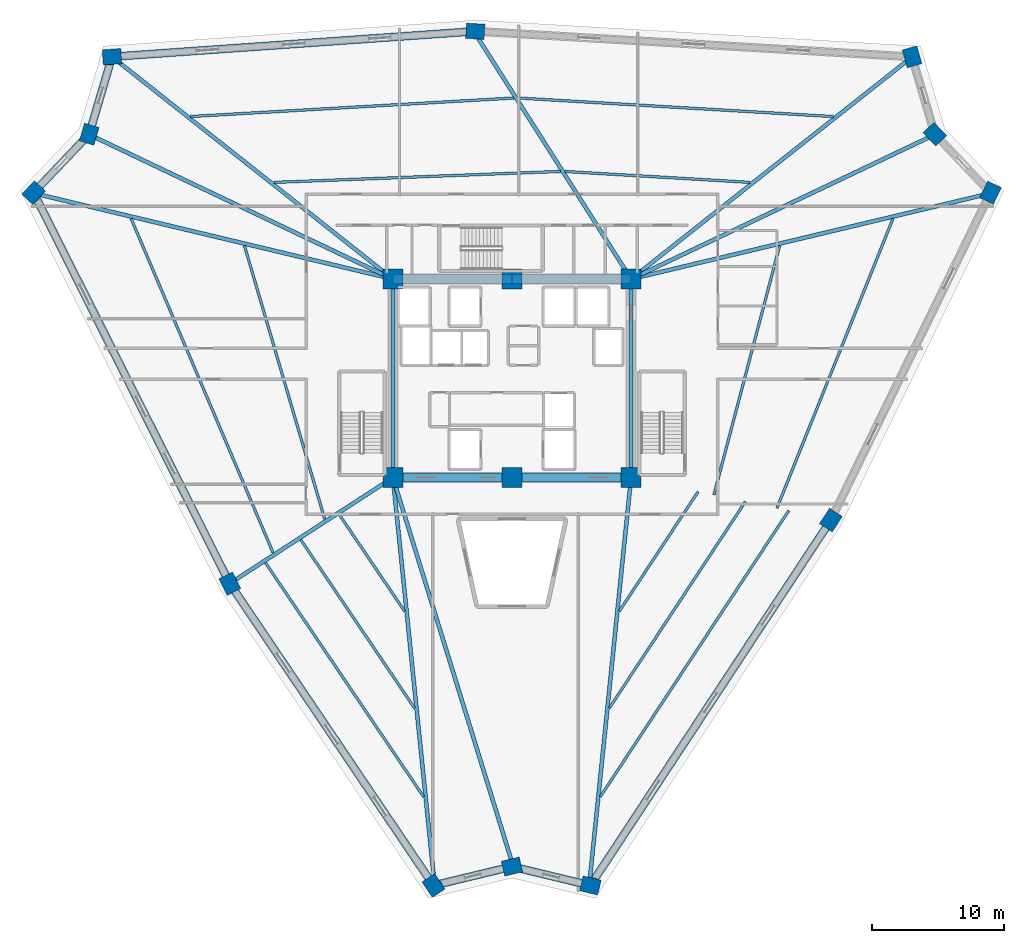
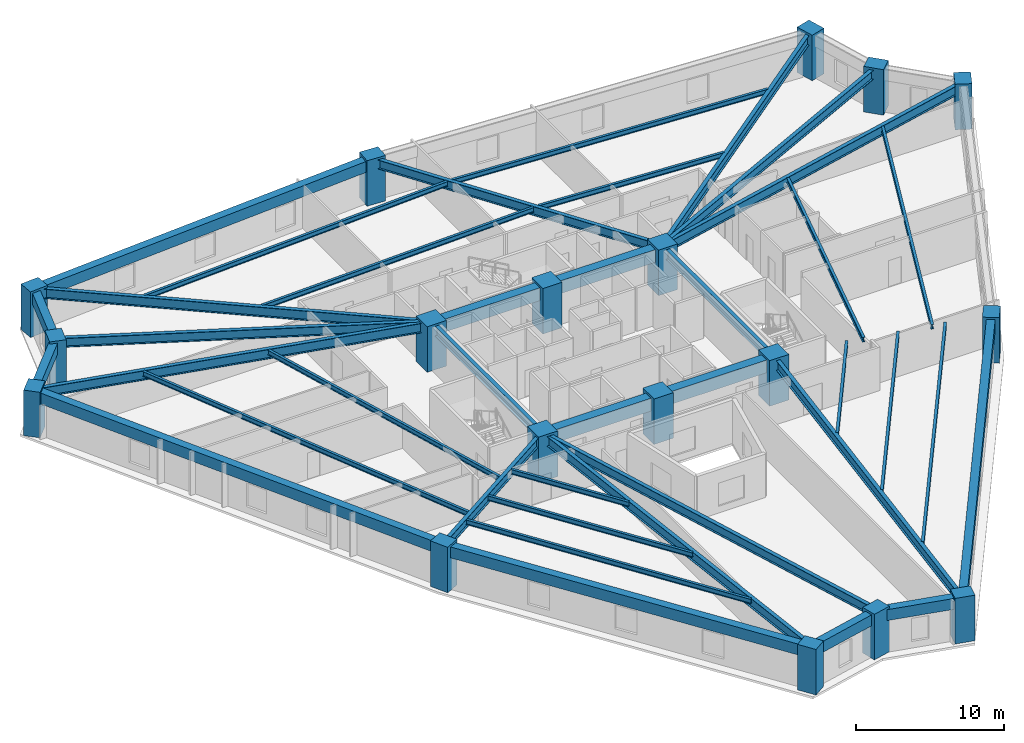
# One storey, part 1 of 9: 39 beams, 18 columns.
"""IFC4 building model written with IfcOpenShell, lengths in metres."""

import ifcopenshell
import ifcopenshell.guid

model = None  # the IFC model being written
_history = None  # IfcOwnerHistory: only IFC2X3 demands one
_inside = {}  # id of a spatial element -> (the spatial element, [elements in it])
_under = {}  # id of a project, library or spatial element -> (it, [spatial elements below it])
_declared = {}  # id of a project -> (the project, [libraries it declares])
_typed = {}  # id of a type object -> (the type object, [elements of that type])
_made_of = {}  # id of a material, layer set ... -> (it, [elements and type objects made of it])


def new_model(schema):
    """Start an empty IFC model of exactly this schema.

    Asked for "IFC4X3", IfcOpenShell would pick the latest addendum, in which some entities
    have other attributes; the version numbers below select the first issue.
    IFC2X3 requires an IfcOwnerHistory on every rooted entity: one is made here for all.
    """
    global model, _history
    if schema == "IFC4X3":
        model = ifcopenshell.file(schema_version=(4, 3, 0, 0))
    else:
        model = ifcopenshell.file(schema=schema)
    _inside.clear()
    _under.clear()
    _declared.clear()
    _typed.clear()
    _made_of.clear()
    _history = None
    if model.schema == "IFC2X3":
        org = make("IfcOrganization", Name="unknown")
        user = make(
            "IfcPersonAndOrganization",
            ThePerson=make("IfcPerson", FamilyName="unknown"),
            TheOrganization=org,
        )
        app = make(
            "IfcApplication",
            ApplicationDeveloper=org,
            Version="unknown",
            ApplicationFullName="unknown",
            ApplicationIdentifier="unknown",
        )
        _history = make(
            "IfcOwnerHistory",
            OwningUser=user,
            OwningApplication=app,
            ChangeAction="ADDED",
            CreationDate=0,
        )
    return model


def make(cls, **values):
    """One entity of the class cls with the attributes given. An attribute that is None is left unset."""
    return model.create_entity(
        cls, **{name: value for name, value in values.items() if value is not None}
    )


def rooted(cls, **values):
    """An entity with a GlobalId (a new one), such as an element, a storey or a relation."""
    return make(cls, GlobalId=ifcopenshell.guid.new(), OwnerHistory=_history, **values)


def si_unit(unit_type, name, prefix=None):
    """IfcSIUnit, for example si_unit("LENGTHUNIT", "METRE", prefix="MILLI")."""
    return make("IfcSIUnit", UnitType=unit_type, Prefix=prefix, Name=name)


def assignment(units):
    """IfcUnitAssignment: the units of a project."""
    return None if units is None else make("IfcUnitAssignment", Units=units)


def point(xyz):
    """IfcCartesianPoint."""
    return None if xyz is None else make("IfcCartesianPoint", Coordinates=xyz)


def direction(xyz):
    """IfcDirection."""
    return None if xyz is None else make("IfcDirection", DirectionRatios=xyz)


def frame(location, z_axis=None, x_axis=None):
    """IfcAxis2Placement3D, a coordinate frame: its origin and axes. An axis left out is left unset."""
    return make(
        "IfcAxis2Placement3D",
        Location=point(location),
        Axis=direction(z_axis),
        RefDirection=direction(x_axis),
    )


def frame_2d(location, x_axis=None):
    """IfcAxis2Placement2D, a coordinate frame in the plane: its origin and x axis."""
    return make(
        "IfcAxis2Placement2D", Location=point(location), RefDirection=direction(x_axis)
    )


def origin():
    """The frame at (0, 0, 0) with its axes left unset."""
    return frame((0.0, 0.0, 0.0))


def origin_2d():
    """The frame at (0, 0) in the plane with its x axis left unset."""
    return frame_2d((0.0, 0.0))


def place(relative_to, where):
    """IfcLocalPlacement: puts the frame where relative to a parent placement (None: the world)."""
    return make(
        "IfcLocalPlacement", PlacementRelTo=relative_to, RelativePlacement=where
    )


def context(
    kind, dimensions, precision=None, world=None, true_north=None, identifier=None
):
    """IfcGeometricRepresentationContext, for example the 3D "Model" context."""
    return make(
        "IfcGeometricRepresentationContext",
        ContextIdentifier=identifier,
        ContextType=kind,
        CoordinateSpaceDimension=dimensions,
        Precision=precision,
        WorldCoordinateSystem=world,
        TrueNorth=true_north,
    )


def subcontext(parent, identifier, kind, view, scale=None):
    """IfcGeometricRepresentationSubContext, for example "Body" below "Model"."""
    return make(
        "IfcGeometricRepresentationSubContext",
        ContextIdentifier=identifier,
        ContextType=kind,
        ParentContext=parent,
        TargetScale=scale,
        TargetView=view,
    )


def project(units=None, contexts=None):
    """IfcProject with its units and contexts."""
    return rooted(
        "IfcProject",
        Name="project",
        RepresentationContexts=contexts,
        UnitsInContext=assignment(units),
    )


def spatial(cls, under=None, at=None, **own):
    """A site, building, storey or space (cls), placed at a placement, below another one or the project."""
    s = rooted(cls, ObjectPlacement=at, **own)
    if under is not None:
        _under.setdefault(under.id(), (under, []))[1].append(s)
    return s


def profile(cls, at=None, kind="AREA", **sizes):
    """A parametric profile (cls). Its sizes go by their IFC names, for example OverallWidth=200.0."""
    return make(cls, ProfileType=kind, Position=at, **sizes)


def rectangle(**sizes):
    """IfcRectangleProfileDef."""
    return profile("IfcRectangleProfileDef", **sizes)


def i_section(**sizes):
    """IfcIShapeProfileDef."""
    return profile("IfcIShapeProfileDef", **sizes)


def extrude(swept, where, along, depth):
    """IfcExtrudedAreaSolid: the profile swept, set in the frame where, extruded along a direction by depth."""
    return make(
        "IfcExtrudedAreaSolid",
        SweptArea=swept,
        Position=where,
        ExtrudedDirection=direction(along),
        Depth=depth,
    )


def shape(context_of_items, identifier, shape_type, items):
    """IfcShapeRepresentation: the items that make up one representation, for example the "Body"."""
    return make(
        "IfcShapeRepresentation",
        ContextOfItems=context_of_items,
        RepresentationIdentifier=identifier,
        RepresentationType=shape_type,
        Items=items,
    )


def source(mapping_origin, context_of_items, identifier, shape_type, items):
    """IfcRepresentationMap: a shape defined once, which mapped items show again and again."""
    return make(
        "IfcRepresentationMap",
        MappingOrigin=mapping_origin,
        MappedRepresentation=shape(context_of_items, identifier, shape_type, items),
    )


def transform(
    local_origin,
    x_axis=None,
    y_axis=None,
    z_axis=None,
    scale=None,
    scale2=None,
    scale3=None,
    uniform=True,
):
    """IfcCartesianTransformationOperator3D, or its non-uniform kind. x_axis, y_axis, z_axis: its Axis1, 2, 3."""
    if uniform:
        return make(
            "IfcCartesianTransformationOperator3D",
            Axis1=direction(x_axis),
            Axis2=direction(y_axis),
            LocalOrigin=point(local_origin),
            Scale=scale,
            Axis3=direction(z_axis),
        )
    return make(
        "IfcCartesianTransformationOperator3DnonUniform",
        Axis1=direction(x_axis),
        Axis2=direction(y_axis),
        LocalOrigin=point(local_origin),
        Scale=scale,
        Axis3=direction(z_axis),
        Scale2=scale2,
        Scale3=scale3,
    )


def mapped(mapping_source, mapping_target):
    """IfcMappedItem: shows the shape of a source again, moved by a transform."""
    return make(
        "IfcMappedItem", MappingSource=mapping_source, MappingTarget=mapping_target
    )


def material(Name=None, Category=None):
    """IfcMaterial."""
    return make("IfcMaterial", Name=Name, Category=Category)


def material_profile(
    of_material, cross_section, Name=None, Category=None, Priority=None
):
    """IfcMaterialProfile: a cross section and its material."""
    return make(
        "IfcMaterialProfile",
        Name=Name,
        Material=of_material,
        Profile=cross_section,
        Priority=Priority,
        Category=Category,
    )


def profile_set(profiles, Name=None, composite=None):
    """IfcMaterialProfileSet."""
    return make(
        "IfcMaterialProfileSet",
        Name=Name,
        MaterialProfiles=profiles,
        CompositeProfile=composite,
    )


def made_of(thing, what):
    """Note that an element or type object is made of a material, layer set ...; save() writes the relation."""
    if what is not None:
        _made_of.setdefault(what.id(), (what, []))[1].append(thing)
    return thing


def type_object(cls, material=None, **own):
    """A type object (cls), such as IfcWallType, which elements share."""
    return made_of(rooted(cls, **own), material)


def element(
    cls,
    number,
    at=None,
    inside=None,
    cuts=None,
    type_object=None,
    material=None,
    context=None,
    identifier="Body",
    shape_type=None,
    held_by="IfcProductDefinitionShape",
    body=None,
    shapes=None,
    **own,
):
    """One element of the class cls, such as IfcWall. Its Tag is "e" and its number.

    at: its placement. inside: the storey or other place that contains it. cuts: it is an
    opening in that element (IfcRelVoidsElement). A single representation is given by context,
    identifier, shape_type and body (its items); several are given by shapes. held_by: the class
    of the entity that holds the representations. save() writes the other relations.
    """
    e = rooted(cls, Tag="e%d" % number, ObjectPlacement=at, **own)
    if body is not None:
        shapes = [shape(context, identifier, shape_type, body)]
    if shapes is not None:
        e.Representation = make(held_by, Representations=shapes)
    if inside is not None:
        _inside.setdefault(inside.id(), (inside, []))[1].append(e)
    if cuts is not None:
        rooted(
            "IfcRelVoidsElement", RelatingBuildingElement=cuts, RelatedOpeningElement=e
        )
    if type_object is not None:
        _typed.setdefault(type_object.id(), (type_object, []))[1].append(e)
    return made_of(e, material)


def aggregate(whole, parts):
    """IfcRelAggregates: a whole, such as a stair, and the parts it consists of."""
    return rooted("IfcRelAggregates", RelatingObject=whole, RelatedObjects=parts)


def save(model, path):
    """Write the relations noted so far, then the file.

    IfcRelAggregates (storeys below a building ...), IfcRelContainedInSpatialStructure (elements
    in a storey), IfcRelDefinesByType, IfcRelAssociatesMaterial and IfcRelDeclares: one each for
    every whole, place, type object, material and project.
    """
    for whole, parts in _under.values():
        aggregate(whole, parts)
    for where, things in _inside.values():
        rooted(
            "IfcRelContainedInSpatialStructure",
            RelatedElements=things,
            RelatingStructure=where,
        )
    for kind, things in _typed.values():
        rooted("IfcRelDefinesByType", RelatedObjects=things, RelatingType=kind)
    for what, things in _made_of.values():
        rooted("IfcRelAssociatesMaterial", RelatedObjects=things, RelatingMaterial=what)
    for by, libraries in _declared.values():
        rooted("IfcRelDeclares", RelatingContext=by, RelatedDefinitions=libraries)
    model.write(path)


model = new_model("IFC4")

# Units and contexts
model_context = context("Model", 3, precision=1e-05, world=origin(), true_north=direction((0.0, 1.0)))
body_context = subcontext(model_context, "Body", "Model", "MODEL_VIEW")
ifc_project = project(units=[si_unit("LENGTHUNIT", "METRE"), si_unit("AREAUNIT", "SQUARE_METRE"), si_unit("VOLUMEUNIT", "CUBIC_METRE"), si_unit("PLANEANGLEUNIT", "RADIAN"), si_unit("MASSUNIT", "GRAM", prefix="KILO")], contexts=[model_context])

# Site, building, storey
site_placement = place(None, origin())
site = spatial("IfcSite", under=ifc_project, at=site_placement, CompositionType="ELEMENT")
building_placement = place(site_placement, origin())
building = spatial("IfcBuilding", under=site, at=building_placement, Name="Liaohun Quay Tower", CompositionType="ELEMENT")
storey_placement = place(building_placement, frame((0.0, 0.0, 132.0)))
storey = spatial("IfcBuildingStorey", under=building, at=storey_placement, Name="L34", CompositionType="ELEMENT", Elevation=132.0)

# Columns
ifc_material_1 = material(Name="Concrete C60", Category="concrete")
ifc_material_profile_1 = material_profile(ifc_material_1, rectangle(XDim=1.5, YDim=1.5, at=origin_2d()), Name="RC1500x1500")
ifc_profile_set_1 = profile_set([ifc_material_profile_1], Name="Concrete C60")
column_type_1 = type_object("IfcColumnType", Name="COL-CC-Z2", PredefinedType="COLUMN", material=ifc_profile_set_1)
shared_shape_1 = source(origin(), body_context, "Body", "SweptSolid", [
    extrude(rectangle(XDim=1.5, YDim=1.5, at=origin_2d()), origin(), (0.0, 0.0, 1.0), 3.75),
])
for number, where, z_axis, x_axis, name in (
    (1, (51.0, 46.5, 0.0), (0.0, 0.0, 1.0), (1.0, 0.0, 0.0), "L34 Core Column CC1"),
    (2, (60.0, 46.5, 0.0), (0.0, 0.0, 1.0), (1.0, 0.0, 0.0), "L34 Core Column CC2"),
    (3, (69.0, 46.5, 0.0), (0.0, 0.0, 1.0), (1.0, 0.0, 0.0), "L34 Core Column CC3"),
    (4, (69.0, 61.5, 0.0), (0.0, 0.0, 1.0), (1.0, 0.0, 0.0), "L34 Core Column CC4"),
    (5, (60.0, 61.5, 0.0), (0.0, 0.0, 1.0), (1.0, 0.0, 0.0), "L34 Core Column CC5"),
    (6, (51.0, 61.5, 0.0), (0.0, 0.0, 1.0), (1.0, 0.0, 0.0), "L34 Core Column CC6"),
):
    element("IfcColumn", number, at=place(storey_placement, frame(where, z_axis=z_axis, x_axis=x_axis)), inside=storey, type_object=column_type_1, Name=name, PredefinedType="COLUMN", context=body_context, shape_type="MappedRepresentation", body=[
        mapped(shared_shape_1, transform((0.0, 0.0, 0.0), x_axis=(1.0, 0.0, 0.0), y_axis=(0.0, 1.0, 0.0), z_axis=(0.0, 0.0, 1.0), scale=1.0)),
    ])
ifc_material_profile_2 = material_profile(ifc_material_1, rectangle(XDim=1.39990234375, YDim=1.14990234375, at=origin_2d()), Name="RC1400x1150")
ifc_profile_set_2 = profile_set([ifc_material_profile_2], Name="Concrete C60")
column_type_2 = type_object("IfcColumnType", Name="COL-PIER-Z2", PredefinedType="COLUMN", material=ifc_profile_set_2)
shared_shape_2 = source(origin(), body_context, "Body", "SweptSolid", [
    extrude(rectangle(XDim=1.39990234375, YDim=1.14990234375, at=origin_2d()), origin(), (0.0, 0.0, 1.0), 3.75),
])
for number, where, z_axis, x_axis, name in (
    (7, (54.069091796875, 15.675048828125, 0.0), (0.0, 0.0, 1.0), (-0.559482258102, 0.828842326905, 0.0), "L34 Perimeter Pier PC01"),
    (8, (38.674072265625, 38.485107421875, 0.0), (0.0, 0.0, 1.0), (-0.448539214018, 0.893763152903, 0.0), "L34 Perimeter Pier PC02"),
    (9, (23.84912109375, 68.031982421875, 0.0), (0.0, 0.0, 1.0), (0.68936671806, 0.724412539946, 0.0), "L34 Perimeter Pier PC03"),
    (10, (28.050048828125, 72.447021484375, 0.0), (0.0, 0.0, 1.0), (0.282508884416, 0.959264682049, 0.0), "L34 Perimeter Pier PC04"),
    (11, (29.77490234375, 78.299072265625, 0.0), (0.0, 0.0, 1.0), (0.997539639882, 0.070104685031, 0.0), "L34 Perimeter Pier PC05"),
    (12, (57.22607421875, 80.22607421875, 0.0), (0.0, 0.0, 1.0), (-0.99829120239, 0.058435222518, 0.0), "L34 Perimeter Pier PC06"),
    (13, (90.22802734375, 78.2919921875, 0.0), (0.0, 0.0, 1.0), (-0.282508884416, 0.959264682049, 0.0), "L34 Perimeter Pier PC07"),
    (14, (91.949951171875, 72.447021484375, 0.0), (0.0, 0.0, 1.0), (-0.68936671806, 0.724412539946, 0.0), "L34 Perimeter Pier PC08"),
    (15, (96.156005859375, 68.027099609375, 0.0), (0.0, 0.0, 1.0), (0.438214270959, 0.898870542808, 0.0), "L34 Perimeter Pier PC09"),
    (16, (84.09912109375, 43.2900390625, 0.0), (0.0, 0.0, 1.0), (0.549751988372, 0.835327930385, 0.0), "L34 Perimeter Pier PC10"),
    (17, (65.924072265625, 15.677001953125, 0.0), (0.0, 0.0, 1.0), (-0.972043021443, 0.234802820391, 0.0), "L34 Perimeter Pier PC11"),
    (18, (60.0, 17.10693359375, 0.0), (0.0, 0.0, 1.0), (0.972043021443, 0.234802820391, 0.0), "L34 Perimeter Pier PC12"),
):
    element("IfcColumn", number, at=place(storey_placement, frame(where, z_axis=z_axis, x_axis=x_axis)), inside=storey, type_object=column_type_2, Name=name, PredefinedType="COLUMN", context=body_context, shape_type="MappedRepresentation", body=[
        mapped(shared_shape_2, transform((0.0, 0.0, 0.0), x_axis=(1.0, 0.0, 0.0), y_axis=(0.0, 1.0, 0.0), z_axis=(0.0, 0.0, 1.0), scale=1.0)),
    ])

# Beams
ifc_material_profile_3 = material_profile(ifc_material_1, rectangle(XDim=0.699951171875, YDim=1.050048828125, at=origin_2d()), Name="RC700x1050")
ifc_profile_set_3 = profile_set([ifc_material_profile_3], Name="Concrete C60")
beam_type_1 = type_object("IfcBeamType", Name="BM-CPL-1", PredefinedType="LINTEL", material=ifc_profile_set_3)
shared_shape_3 = source(origin(), body_context, "Body", "SweptSolid", [
    extrude(rectangle(XDim=0.699951171875, YDim=1.050048828125, at=origin_2d()), origin(), (0.0, 0.0, 1.0), 9.0),
])
for number, where, z_axis, x_axis, name in (
    (19, (51.0, 46.5, 3.044921875), (1.0, 0.0, 0.0), (0.0, 1.0, 0.0), "L34 Core Coupling/Ring Beam CC1-CC2"),
    (20, (60.0, 46.5, 3.044921875), (1.0, 0.0, 0.0), (0.0, 1.0, 0.0), "L34 Core Coupling/Ring Beam CC2-CC3"),
    (21, (69.0, 61.5, 3.044921875), (-1.0, 0.0, 0.0), (0.0, -1.0, 0.0), "L34 Core Coupling/Ring Beam CC4-CC5"),
    (22, (60.0, 61.5, 3.044921875), (-1.0, 0.0, 0.0), (0.0, -1.0, 0.0), "L34 Core Coupling/Ring Beam CC5-CC6"),
):
    element("IfcBeam", number, at=place(storey_placement, frame(where, z_axis=z_axis, x_axis=x_axis)), inside=storey, type_object=beam_type_1, Name=name, PredefinedType="LINTEL", context=body_context, shape_type="MappedRepresentation", body=[
        mapped(shared_shape_3, transform((0.0, 0.0, 0.0), x_axis=(1.0, 0.0, 0.0), y_axis=(0.0, 1.0, 0.0), z_axis=(0.0, 0.0, 1.0), scale=1.0)),
    ])
ifc_material_2 = material(Name="Steel Q355D", Category="steel")
ifc_material_profile_4 = material_profile(ifc_material_2, i_section(OverallWidth=0.300048828125, OverallDepth=0.800048828125, WebThickness=0.013916015625, FlangeThickness=0.02587890625, at=origin_2d()), Name="HN800x300x14x26")
ifc_profile_set_4 = profile_set([ifc_material_profile_4], Name="Steel Q355D")
beam_type_2 = type_object("IfcBeamType", Name="BM-RAD-M1", PredefinedType="BEAM", material=ifc_profile_set_4)
shared_shape_4 = source(origin(), body_context, "Body", "SweptSolid", [
    extrude(i_section(OverallWidth=0.300048828125, OverallDepth=0.800048828125, WebThickness=0.013916015625, FlangeThickness=0.02587890625, at=origin_2d()), origin(), (0.0, 0.0, 1.0), 15.0),
])
for number, where, z_axis, x_axis, name in (
    (23, (69.0, 46.5, 3.169921875), (0.0, 1.0, 0.0), (-1.0, 0.0, 0.0), "L34 Core Coupling/Ring Beam CC3-CC4"),
    (24, (51.0, 61.5, 3.169921875), (0.0, -1.0, 0.0), (1.0, 0.0, 0.0), "L34 Core Coupling/Ring Beam CC6-CC1"),
):
    element("IfcBeam", number, at=place(storey_placement, frame(where, z_axis=z_axis, x_axis=x_axis)), inside=storey, type_object=beam_type_2, Name=name, PredefinedType="BEAM", context=body_context, shape_type="MappedRepresentation", body=[
        mapped(shared_shape_4, transform((0.0, 0.0, 0.0), x_axis=(1.0, 0.0, 0.0), y_axis=(0.0, 1.0, 0.0), z_axis=(0.0, 0.0, 1.0), scale=1.0)),
    ])
ifc_material_3 = material(Name="Precast concrete C55", Category="concrete")
ifc_material_profile_5 = material_profile(ifc_material_3, rectangle(XDim=0.60009765625, YDim=0.89990234375, at=origin_2d()), Name="RC600x900")
ifc_profile_set_5 = profile_set([ifc_material_profile_5], Name="Precast concrete C55")
beam_type_3 = type_object("IfcBeamType", Name="BM-SPD-Z2", PredefinedType="SPANDREL", material=ifc_profile_set_5)
shared_shape_5 = source(origin(), body_context, "Body", "SweptSolid", [
    extrude(rectangle(XDim=0.60009765625, YDim=0.89990234375, at=origin_2d()), origin(), (0.0, 0.0, 1.0), 27.519287109375),
])
beam_1_placement = place(storey_placement, frame((54.069091796875, 15.675048828125, 3.1201171875), z_axis=(-0.559428667358, 0.82887849902, 0.0), x_axis=(-0.82887849902, -0.559428667358, 0.0)))
element("IfcBeam", 25, at=beam_1_placement, inside=storey, type_object=beam_type_3, Name="L34 Precast Spandrel Beam PC01-PC02", PredefinedType="SPANDREL", context=body_context, shape_type="MappedRepresentation", body=[
    mapped(shared_shape_5, transform((0.0, 0.0, 0.0), x_axis=(1.0, 0.0, 0.0), y_axis=(0.0, 1.0, 0.0), z_axis=(0.0, 0.0, 1.0), scale=1.0)),
])
shared_shape_6 = source(origin(), body_context, "Body", "SweptSolid", [
    extrude(rectangle(XDim=0.60009765625, YDim=0.89990234375, at=origin_2d()), origin(), (0.0, 0.0, 1.0), 33.057373046875),
])
beam_2_placement = place(storey_placement, frame((38.674072265625, 38.485107421875, 3.1201171875), z_axis=(-0.448459805959, 0.893802999793, 0.0), x_axis=(-0.893802999793, -0.448459805959, 0.0)))
element("IfcBeam", 26, at=beam_2_placement, inside=storey, type_object=beam_type_3, Name="L34 Precast Spandrel Beam PC02-PC03", PredefinedType="SPANDREL", context=body_context, shape_type="MappedRepresentation", body=[
    mapped(shared_shape_6, transform((0.0, 0.0, 0.0), x_axis=(1.0, 0.0, 0.0), y_axis=(0.0, 1.0, 0.0), z_axis=(0.0, 0.0, 1.0), scale=1.0)),
])
shared_shape_7 = source(origin(), body_context, "Body", "SweptSolid", [
    extrude(rectangle(XDim=0.60009765625, YDim=0.89990234375, at=origin_2d()), origin(), (0.0, 0.0, 1.0), 6.09423828125),
])
for number, where, z_axis, x_axis, name in (
    (27, (23.84912109375, 68.031982421875, 3.1201171875), (0.689321991872, 0.724455099728, 0.0), (-0.724455099728, 0.689321991872, 0.0), "L34 Precast Spandrel Beam PC03-PC04"),
    (28, (65.924072265625, 15.677001953125, 3.1201171875), (-0.972082838745, 0.234637922379, 0.0), (-0.234637922379, -0.972082838745, 0.0), "L34 Precast Spandrel Beam PC11-PC12"),
):
    element("IfcBeam", number, at=place(storey_placement, frame(where, z_axis=z_axis, x_axis=x_axis)), inside=storey, type_object=beam_type_3, Name=name, PredefinedType="SPANDREL", context=body_context, shape_type="MappedRepresentation", body=[
        mapped(shared_shape_7, transform((0.0, 0.0, 0.0), x_axis=(1.0, 0.0, 0.0), y_axis=(0.0, 1.0, 0.0), z_axis=(0.0, 0.0, 1.0), scale=1.0)),
    ])
shared_shape_8 = source(origin(), body_context, "Body", "SweptSolid", [
    extrude(rectangle(XDim=0.60009765625, YDim=0.89990234375, at=origin_2d()), origin(), (0.0, 0.0, 1.0), 6.10107421875),
])
beam_3_placement = place(storey_placement, frame((28.050048828125, 72.447021484375, 3.1201171875), z_axis=(0.282718738533, 0.959202853875, 0.0), x_axis=(-0.959202853875, 0.282718738533, 0.0)))
element("IfcBeam", 29, at=beam_3_placement, inside=storey, type_object=beam_type_3, Name="L34 Precast Spandrel Beam PC04-PC05", PredefinedType="SPANDREL", context=body_context, shape_type="MappedRepresentation", body=[
    mapped(shared_shape_8, transform((0.0, 0.0, 0.0), x_axis=(1.0, 0.0, 0.0), y_axis=(0.0, 1.0, 0.0), z_axis=(0.0, 0.0, 1.0), scale=1.0)),
])
shared_shape_9 = source(origin(), body_context, "Body", "SweptSolid", [
    extrude(rectangle(XDim=0.60009765625, YDim=0.89990234375, at=origin_2d()), origin(), (0.0, 0.0, 1.0), 27.518798828125),
])
beam_4_placement = place(storey_placement, frame((29.77490234375, 78.299072265625, 3.1201171875), z_axis=(0.997545228336, 0.070025119951, 0.0), x_axis=(-0.070025119951, 0.997545228336, 0.0)))
element("IfcBeam", 30, at=beam_4_placement, inside=storey, type_object=beam_type_3, Name="L34 Precast Spandrel Beam PC05-PC06", PredefinedType="SPANDREL", context=body_context, shape_type="MappedRepresentation", body=[
    mapped(shared_shape_9, transform((0.0, 0.0, 0.0), x_axis=(1.0, 0.0, 0.0), y_axis=(0.0, 1.0, 0.0), z_axis=(0.0, 0.0, 1.0), scale=1.0)),
])
shared_shape_10 = source(origin(), body_context, "Body", "SweptSolid", [
    extrude(rectangle(XDim=0.60009765625, YDim=0.89990234375, at=origin_2d()), origin(), (0.0, 0.0, 1.0), 6.101318359375),
])
beam_5_placement = place(storey_placement, frame((60.0, 17.10693359375, 3.1201171875), z_axis=(-0.972071507064, -0.234684863497, 0.0), x_axis=(0.234684863497, -0.972071507064, 0.0)))
element("IfcBeam", 31, at=beam_5_placement, inside=storey, type_object=beam_type_3, Name="L34 Precast Spandrel Beam PC12-PC01", PredefinedType="SPANDREL", context=body_context, shape_type="MappedRepresentation", body=[
    mapped(shared_shape_10, transform((0.0, 0.0, 0.0), x_axis=(1.0, 0.0, 0.0), y_axis=(0.0, 1.0, 0.0), z_axis=(0.0, 0.0, 1.0), scale=1.0)),
])
shared_shape_11 = source(origin(), body_context, "Body", "SweptSolid", [
    extrude(rectangle(XDim=0.60009765625, YDim=0.89990234375, at=origin_2d()), origin(), (0.0, 0.0, 1.0), 33.0576171875),
])
beam_6_placement = place(storey_placement, frame((84.09912109375, 43.2900390625, 3.1201171875), z_axis=(-0.549797569052, -0.83529793072, 0.0), x_axis=(0.83529793072, -0.549797569052, 0.0)))
element("IfcBeam", 32, at=beam_6_placement, inside=storey, type_object=beam_type_3, Name="L34 Precast Spandrel Beam PC10-PC11", PredefinedType="SPANDREL", context=body_context, shape_type="MappedRepresentation", body=[
    mapped(shared_shape_11, transform((0.0, 0.0, 0.0), x_axis=(1.0, 0.0, 0.0), y_axis=(0.0, 1.0, 0.0), z_axis=(0.0, 0.0, 1.0), scale=1.0)),
])
shared_shape_12 = source(origin(), body_context, "Body", "SweptSolid", [
    extrude(i_section(OverallWidth=0.300048828125, OverallDepth=0.800048828125, WebThickness=0.013916015625, FlangeThickness=0.02587890625, at=origin_2d()), origin(), (0.0, 0.0, 1.0), 30.644775390625),
])
beam_7_placement = place(storey_placement, frame((51.0, 46.5, 3.169921875), z_axis=(0.101911617186, -0.994793457097, 0.0), x_axis=(0.994793457097, 0.101911617186, 0.0)))
element("IfcBeam", 33, at=beam_7_placement, inside=storey, type_object=beam_type_2, Name="L34 Radial Primary Girder CC1-PC01", PredefinedType="BEAM", context=body_context, shape_type="MappedRepresentation", body=[
    mapped(shared_shape_12, transform((0.0, 0.0, 0.0), x_axis=(1.0, 0.0, 0.0), y_axis=(0.0, 1.0, 0.0), z_axis=(0.0, 0.0, 1.0), scale=1.0)),
])
ifc_material_profile_6 = material_profile(ifc_material_2, i_section(OverallWidth=0.300048828125, OverallDepth=0.75, WebThickness=0.013916015625, FlangeThickness=0.02587890625, at=origin_2d()), Name="HN750x300x14x26")
ifc_profile_set_6 = profile_set([ifc_material_profile_6], Name="Steel Q355D")
beam_type_4 = type_object("IfcBeamType", Name="BM-RAD-M2", PredefinedType="BEAM", material=ifc_profile_set_6)
shared_shape_13 = source(origin(), body_context, "Body", "SweptSolid", [
    extrude(i_section(OverallWidth=0.300048828125, OverallDepth=0.75, WebThickness=0.013916015625, FlangeThickness=0.02587890625, at=origin_2d()), origin(), (0.0, 0.0, 1.0), 14.47998046875),
])
beam_8_placement = place(storey_placement, frame((51.0, 46.5, 3.195068359375), z_axis=(-0.838817079565, -0.544413360444, 0.0), x_axis=(0.544413360444, -0.838817079565, 0.0)))
element("IfcBeam", 34, at=beam_8_placement, inside=storey, type_object=beam_type_4, Name="L34 Radial Primary Girder CC1-PC02", PredefinedType="BEAM", context=body_context, shape_type="MappedRepresentation", body=[
    mapped(shared_shape_13, transform((0.0, 0.0, 0.0), x_axis=(1.0, 0.0, 0.0), y_axis=(0.0, 1.0, 0.0), z_axis=(0.0, 0.0, 1.0), scale=1.0)),
])
shared_shape_14 = source(origin(), body_context, "Body", "SweptSolid", [
    extrude(i_section(OverallWidth=0.300048828125, OverallDepth=0.800048828125, WebThickness=0.013916015625, FlangeThickness=0.02587890625, at=origin_2d()), origin(), (0.0, 0.0, 1.0), 27.583984375),
])
beam_9_placement = place(storey_placement, frame((51.0, 61.5, 3.169921875), z_axis=(-0.972633963366, 0.232342792672, 0.0), x_axis=(-0.232342792672, -0.972633963366, 0.0)))
element("IfcBeam", 35, at=beam_9_placement, inside=storey, type_object=beam_type_2, Name="L34 Radial Primary Girder CC6-PC03", PredefinedType="BEAM", context=body_context, shape_type="MappedRepresentation", body=[
    mapped(shared_shape_14, transform((0.0, 0.0, 0.0), x_axis=(1.0, 0.0, 0.0), y_axis=(0.0, 1.0, 0.0), z_axis=(0.0, 0.0, 1.0), scale=1.0)),
])
shared_shape_15 = source(origin(), body_context, "Body", "SweptSolid", [
    extrude(i_section(OverallWidth=0.300048828125, OverallDepth=0.75, WebThickness=0.013916015625, FlangeThickness=0.02587890625, at=origin_2d()), origin(), (0.0, 0.0, 1.0), 25.10107421875),
])
for number, where, z_axis, x_axis, name in (
    (36, (51.0, 61.5, 3.195068359375), (-0.903028188257, 0.429581297561, 0.0), (-0.429581297561, -0.903028188257, 0.0), "L34 Radial Primary Girder CC6-PC04"),
    (37, (69.0, 61.5, 3.195068359375), (0.903028188257, 0.429581297561, 0.0), (-0.429581297561, 0.903028188257, 0.0), "L34 Radial Primary Girder CC4-PC08"),
):
    element("IfcBeam", number, at=place(storey_placement, frame(where, z_axis=z_axis, x_axis=x_axis)), inside=storey, type_object=beam_type_4, Name=name, PredefinedType="BEAM", context=body_context, shape_type="MappedRepresentation", body=[
        mapped(shared_shape_15, transform((0.0, 0.0, 0.0), x_axis=(1.0, 0.0, 0.0), y_axis=(0.0, 1.0, 0.0), z_axis=(0.0, 0.0, 1.0), scale=1.0)),
    ])
shared_shape_16 = source(origin(), body_context, "Body", "SweptSolid", [
    extrude(i_section(OverallWidth=0.300048828125, OverallDepth=0.800048828125, WebThickness=0.013916015625, FlangeThickness=0.02587890625, at=origin_2d()), origin(), (0.0, 0.0, 1.0), 26.723876953125),
])
beam_10_placement = place(storey_placement, frame((51.0, 61.5, 3.169921875), z_axis=(-0.784208816597, 0.620497003999, 0.0), x_axis=(-0.620497003999, -0.784208816597, 0.0)))
element("IfcBeam", 38, at=beam_10_placement, inside=storey, type_object=beam_type_2, Name="L34 Radial Primary Girder CC6-PC05", PredefinedType="BEAM", context=body_context, shape_type="MappedRepresentation", body=[
    mapped(shared_shape_16, transform((0.0, 0.0, 0.0), x_axis=(1.0, 0.0, 0.0), y_axis=(0.0, 1.0, 0.0), z_axis=(0.0, 0.0, 1.0), scale=1.0)),
])
shared_shape_17 = source(origin(), body_context, "Body", "SweptSolid", [
    extrude(i_section(OverallWidth=0.300048828125, OverallDepth=0.75, WebThickness=0.013916015625, FlangeThickness=0.02587890625, at=origin_2d()), origin(), (0.0, 0.0, 1.0), 21.91943359375),
])
beam_11_placement = place(storey_placement, frame((69.0, 61.5, 3.195068359375), z_axis=(-0.536056520404, 0.844182093468, 0.0), x_axis=(-0.844182093468, -0.536056520404, 0.0)))
element("IfcBeam", 39, at=beam_11_placement, inside=storey, type_object=beam_type_4, Name="L34 Radial Primary Girder CC4-PC06", PredefinedType="BEAM", context=body_context, shape_type="MappedRepresentation", body=[
    mapped(shared_shape_17, transform((0.0, 0.0, 0.0), x_axis=(1.0, 0.0, 0.0), y_axis=(0.0, 1.0, 0.0), z_axis=(0.0, 0.0, 1.0), scale=1.0)),
])
shared_shape_18 = source(origin(), body_context, "Body", "SweptSolid", [
    extrude(i_section(OverallWidth=0.300048828125, OverallDepth=0.800048828125, WebThickness=0.013916015625, FlangeThickness=0.02587890625, at=origin_2d()), origin(), (0.0, 0.0, 1.0), 26.7216796875),
])
beam_12_placement = place(storey_placement, frame((69.0, 61.5, 3.169921875), z_axis=(0.784379926312, 0.62028068743, 0.0), x_axis=(-0.62028068743, 0.784379926312, 0.0)))
element("IfcBeam", 40, at=beam_12_placement, inside=storey, type_object=beam_type_2, Name="L34 Radial Primary Girder CC4-PC07", PredefinedType="BEAM", context=body_context, shape_type="MappedRepresentation", body=[
    mapped(shared_shape_18, transform((0.0, 0.0, 0.0), x_axis=(1.0, 0.0, 0.0), y_axis=(0.0, 1.0, 0.0), z_axis=(0.0, 0.0, 1.0), scale=1.0)),
])
shared_shape_19 = source(origin(), body_context, "Body", "SweptSolid", [
    extrude(i_section(OverallWidth=0.300048828125, OverallDepth=0.800048828125, WebThickness=0.013916015625, FlangeThickness=0.02587890625, at=origin_2d()), origin(), (0.0, 0.0, 1.0), 27.58740234375),
])
beam_13_placement = place(storey_placement, frame((69.0, 61.5, 3.169921875), z_axis=(0.972691485896, 0.232101859675, 0.0), x_axis=(-0.232101859675, 0.972691485896, 0.0)))
element("IfcBeam", 41, at=beam_13_placement, inside=storey, type_object=beam_type_2, Name="L34 Radial Primary Girder CC4-PC09", PredefinedType="BEAM", context=body_context, shape_type="MappedRepresentation", body=[
    mapped(shared_shape_19, transform((0.0, 0.0, 0.0), x_axis=(1.0, 0.0, 0.0), y_axis=(0.0, 1.0, 0.0), z_axis=(0.0, 0.0, 1.0), scale=1.0)),
])
shared_shape_20 = source(origin(), body_context, "Body", "SweptSolid", [
    extrude(i_section(OverallWidth=0.300048828125, OverallDepth=0.800048828125, WebThickness=0.013916015625, FlangeThickness=0.02587890625, at=origin_2d()), origin(), (0.0, 0.0, 1.0), 30.64306640625),
])
beam_14_placement = place(storey_placement, frame((69.0, 46.5, 3.169921875), z_axis=(-0.102139649017, -0.994770069965, 0.0), x_axis=(0.994770069965, -0.102139649017, 0.0)))
element("IfcBeam", 42, at=beam_14_placement, inside=storey, type_object=beam_type_2, Name="L34 Radial Primary Girder CC3-PC11", PredefinedType="BEAM", context=body_context, shape_type="MappedRepresentation", body=[
    mapped(shared_shape_20, transform((0.0, 0.0, 0.0), x_axis=(1.0, 0.0, 0.0), y_axis=(0.0, 1.0, 0.0), z_axis=(0.0, 0.0, 1.0), scale=1.0)),
])
shared_shape_21 = source(origin(), body_context, "Body", "SweptSolid", [
    extrude(i_section(OverallWidth=0.300048828125, OverallDepth=0.75, WebThickness=0.013916015625, FlangeThickness=0.02587890625, at=origin_2d()), origin(), (0.0, 0.0, 1.0), 30.427490234375),
])
beam_15_placement = place(storey_placement, frame((51.0, 46.5, 3.195068359375), z_axis=(0.295785888535, -0.955254263609, 0.0), x_axis=(0.955254263609, 0.295785888535, 0.0)))
element("IfcBeam", 43, at=beam_15_placement, inside=storey, type_object=beam_type_4, Name="L34 Radial Primary Girder CC1-PC12", PredefinedType="BEAM", context=body_context, shape_type="MappedRepresentation", body=[
    mapped(shared_shape_21, transform((0.0, 0.0, 0.0), x_axis=(1.0, 0.0, 0.0), y_axis=(0.0, 1.0, 0.0), z_axis=(0.0, 0.0, 1.0), scale=1.0)),
])
ifc_material_profile_7 = material_profile(ifc_material_2, i_section(OverallWidth=0.199951171875, OverallDepth=0.39990234375, WebThickness=0.008056640625, FlangeThickness=0.012939453125, at=origin_2d()), Name="HN400x200x8x13")
ifc_profile_set_7 = profile_set([ifc_material_profile_7], Name="Steel Q355D")
beam_type_5 = type_object("IfcBeamType", Name="BM-SEC-J2", PredefinedType="JOIST", material=ifc_profile_set_7)
shared_shape_22 = source(origin(), body_context, "Body", "SweptSolid", [
    extrude(i_section(OverallWidth=0.199951171875, OverallDepth=0.39990234375, WebThickness=0.008056640625, FlangeThickness=0.012939453125, at=origin_2d()), origin(), (0.0, 0.0, 1.0), 8.806396484375),
])
beam_16_placement = place(storey_placement, frame((51.884033203125, 36.39794921875, 3.3701171875), z_axis=(-0.559814199059, 0.828618164496, 0.0), x_axis=(-0.828618164496, -0.559814199059, 0.0)))
element("IfcBeam", 44, at=beam_16_placement, inside=storey, type_object=beam_type_5, Name="L34 Wing Secondary Floor Joist SJ-01", PredefinedType="JOIST", context=body_context, shape_type="MappedRepresentation", body=[
    mapped(shared_shape_22, transform((0.0, 0.0, 0.0), x_axis=(1.0, 0.0, 0.0), y_axis=(0.0, 1.0, 0.0), z_axis=(0.0, 0.0, 1.0), scale=1.0)),
])
shared_shape_23 = source(origin(), body_context, "Body", "SweptSolid", [
    extrude(i_section(OverallWidth=0.199951171875, OverallDepth=0.39990234375, WebThickness=0.008056640625, FlangeThickness=0.012939453125, at=origin_2d()), origin(), (0.0, 0.0, 1.0), 15.353271484375),
])
beam_17_placement = place(storey_placement, frame((52.634033203125, 29.08203125, 3.3701171875), z_axis=(-0.559816101491, 0.82861687921, 0.0), x_axis=(-0.82861687921, -0.559816101491, 0.0)))
element("IfcBeam", 45, at=beam_17_placement, inside=storey, type_object=beam_type_5, Name="L34 Wing Secondary Floor Joist SJ-02", PredefinedType="JOIST", context=body_context, shape_type="MappedRepresentation", body=[
    mapped(shared_shape_23, transform((0.0, 0.0, 0.0), x_axis=(1.0, 0.0, 0.0), y_axis=(0.0, 1.0, 0.0), z_axis=(0.0, 0.0, 1.0), scale=1.0)),
])
shared_shape_24 = source(origin(), body_context, "Body", "SweptSolid", [
    extrude(i_section(OverallWidth=0.199951171875, OverallDepth=0.39990234375, WebThickness=0.008056640625, FlangeThickness=0.012939453125, at=origin_2d()), origin(), (0.0, 0.0, 1.0), 21.353759765625),
])
beam_18_placement = place(storey_placement, frame((53.321044921875, 22.375, 3.3701171875), z_axis=(-0.559813495441, 0.828618639859, 0.0), x_axis=(-0.828618639859, -0.559813495441, 0.0)))
element("IfcBeam", 46, at=beam_18_placement, inside=storey, type_object=beam_type_5, Name="L34 Wing Secondary Floor Joist SJ-03", PredefinedType="JOIST", context=body_context, shape_type="MappedRepresentation", body=[
    mapped(shared_shape_24, transform((0.0, 0.0, 0.0), x_axis=(1.0, 0.0, 0.0), y_axis=(0.0, 1.0, 0.0), z_axis=(0.0, 0.0, 1.0), scale=1.0)),
])
shared_shape_25 = source(origin(), body_context, "Body", "SweptSolid", [
    extrude(i_section(OverallWidth=0.199951171875, OverallDepth=0.39990234375, WebThickness=0.008056640625, FlangeThickness=0.012939453125, at=origin_2d()), origin(), (0.0, 0.0, 1.0), 21.56005859375),
])
beam_19_placement = place(storey_placement, frame((45.85498046875, 43.339111328125, 3.3701171875), z_axis=(-0.281723657819, 0.959495586558, 0.0), x_axis=(-0.959495586558, -0.281723657819, 0.0)))
element("IfcBeam", 47, at=beam_19_placement, inside=storey, type_object=beam_type_5, Name="L34 Wing Secondary Floor Joist SJ-04", PredefinedType="JOIST", context=body_context, shape_type="MappedRepresentation", body=[
    mapped(shared_shape_25, transform((0.0, 0.0, 0.0), x_axis=(1.0, 0.0, 0.0), y_axis=(0.0, 1.0, 0.0), z_axis=(0.0, 0.0, 1.0), scale=1.0)),
])
shared_shape_26 = source(origin(), body_context, "Body", "SweptSolid", [
    extrude(i_section(OverallWidth=0.199951171875, OverallDepth=0.39990234375, WebThickness=0.008056640625, FlangeThickness=0.012939453125, at=origin_2d()), origin(), (0.0, 0.0, 1.0), 27.449462890625),
])
beam_20_placement = place(storey_placement, frame((41.951904296875, 40.806884765625, 3.3701171875), z_axis=(-0.391006164002, 0.920388059306, 0.0), x_axis=(-0.920388059306, -0.391006164002, 0.0)))
element("IfcBeam", 48, at=beam_20_placement, inside=storey, type_object=beam_type_5, Name="L34 Wing Secondary Floor Joist SJ-05", PredefinedType="JOIST", context=body_context, shape_type="MappedRepresentation", body=[
    mapped(shared_shape_26, transform((0.0, 0.0, 0.0), x_axis=(1.0, 0.0, 0.0), y_axis=(0.0, 1.0, 0.0), z_axis=(0.0, 0.0, 1.0), scale=1.0)),
])
shared_shape_27 = source(origin(), body_context, "Body", "SweptSolid", [
    extrude(i_section(OverallWidth=0.199951171875, OverallDepth=0.39990234375, WebThickness=0.008056640625, FlangeThickness=0.012939453125, at=origin_2d()), origin(), (0.0, 0.0, 1.0), 21.663818359375),
])
beam_21_placement = place(storey_placement, frame((42.009033203125, 68.804931640625, 3.3701171875), z_axis=(0.999265662278, 0.038316265386, 0.0), x_axis=(-0.038316265386, 0.999265662278, 0.0)))
element("IfcBeam", 49, at=beam_21_placement, inside=storey, type_object=beam_type_5, Name="L34 Wing Secondary Floor Joist SJ-06", PredefinedType="JOIST", context=body_context, shape_type="MappedRepresentation", body=[
    mapped(shared_shape_27, transform((0.0, 0.0, 0.0), x_axis=(1.0, 0.0, 0.0), y_axis=(0.0, 1.0, 0.0), z_axis=(0.0, 0.0, 1.0), scale=1.0)),
])
shared_shape_28 = source(origin(), body_context, "Body", "SweptSolid", [
    extrude(i_section(OverallWidth=0.199951171875, OverallDepth=0.39990234375, WebThickness=0.008056640625, FlangeThickness=0.012939453125, at=origin_2d()), origin(), (0.0, 0.0, 1.0), 24.45703125),
])
beam_22_placement = place(storey_placement, frame((35.717041015625, 73.783935546875, 3.3701171875), z_axis=(0.998362208358, 0.057209273048, 0.0), x_axis=(-0.057209273048, 0.998362208358, 0.0)))
element("IfcBeam", 50, at=beam_22_placement, inside=storey, type_object=beam_type_5, Name="L34 Wing Secondary Floor Joist SJ-07", PredefinedType="JOIST", context=body_context, shape_type="MappedRepresentation", body=[
    mapped(shared_shape_28, transform((0.0, 0.0, 0.0), x_axis=(1.0, 0.0, 0.0), y_axis=(0.0, 1.0, 0.0), z_axis=(0.0, 0.0, 1.0), scale=1.0)),
])
shared_shape_29 = source(origin(), body_context, "Body", "SweptSolid", [
    extrude(i_section(OverallWidth=0.199951171875, OverallDepth=0.39990234375, WebThickness=0.008056640625, FlangeThickness=0.012939453125, at=origin_2d()), origin(), (0.0, 0.0, 1.0), 14.006591796875),
])
beam_23_placement = place(storey_placement, frame((64.014892578125, 69.631103515625, 3.3701171875), z_axis=(0.998262994608, -0.058915138932, 0.0), x_axis=(0.058915138932, 0.998262994608, 0.0)))
element("IfcBeam", 51, at=beam_23_placement, inside=storey, type_object=beam_type_5, Name="L34 Wing Secondary Floor Joist SJ-08", PredefinedType="JOIST", context=body_context, shape_type="MappedRepresentation", body=[
    mapped(shared_shape_29, transform((0.0, 0.0, 0.0), x_axis=(1.0, 0.0, 0.0), y_axis=(0.0, 1.0, 0.0), z_axis=(0.0, 0.0, 1.0), scale=1.0)),
])
shared_shape_30 = source(origin(), body_context, "Body", "SweptSolid", [
    extrude(i_section(OverallWidth=0.199951171875, OverallDepth=0.39990234375, WebThickness=0.008056640625, FlangeThickness=0.012939453125, at=origin_2d()), origin(), (0.0, 0.0, 1.0), 23.836181640625),
])
beam_24_placement = place(storey_placement, frame((60.489990234375, 75.181884765625, 3.3701171875), z_axis=(0.998266665124, -0.058852912437, 0.0), x_axis=(0.058852912437, 0.998266665124, 0.0)))
element("IfcBeam", 52, at=beam_24_placement, inside=storey, type_object=beam_type_5, Name="L34 Wing Secondary Floor Joist SJ-09", PredefinedType="JOIST", context=body_context, shape_type="MappedRepresentation", body=[
    mapped(shared_shape_30, transform((0.0, 0.0, 0.0), x_axis=(1.0, 0.0, 0.0), y_axis=(0.0, 1.0, 0.0), z_axis=(0.0, 0.0, 1.0), scale=1.0)),
])
shared_shape_31 = source(origin(), body_context, "Body", "SweptSolid", [
    extrude(i_section(OverallWidth=0.199951171875, OverallDepth=0.39990234375, WebThickness=0.008056640625, FlangeThickness=0.012939453125, at=origin_2d()), origin(), (0.0, 0.0, 1.0), 19.47998046875),
])
beam_25_placement = place(storey_placement, frame((80.22705078125, 64.02490234375, 3.3701171875), z_axis=(-0.255183553654, -0.96689262793, 0.0), x_axis=(0.96689262793, -0.255183553654, 0.0)))
element("IfcBeam", 53, at=beam_25_placement, inside=storey, type_object=beam_type_5, Name="L34 Wing Secondary Floor Joist SJ-10", PredefinedType="JOIST", context=body_context, shape_type="MappedRepresentation", body=[
    mapped(shared_shape_31, transform((0.0, 0.0, 0.0), x_axis=(1.0, 0.0, 0.0), y_axis=(0.0, 1.0, 0.0), z_axis=(0.0, 0.0, 1.0), scale=1.0)),
])
shared_shape_32 = source(origin(), body_context, "Body", "SweptSolid", [
    extrude(i_section(OverallWidth=0.199951171875, OverallDepth=0.39990234375, WebThickness=0.008056640625, FlangeThickness=0.012939453125, at=origin_2d()), origin(), (0.0, 0.0, 1.0), 23.568603515625),
])
beam_26_placement = place(storey_placement, frame((88.7890625, 66.068115234375, 3.3701171875), z_axis=(-0.371983551094, -0.928239321358, 0.0), x_axis=(0.928239321358, -0.371983551094, 0.0)))
element("IfcBeam", 54, at=beam_26_placement, inside=storey, type_object=beam_type_5, Name="L34 Wing Secondary Floor Joist SJ-11", PredefinedType="JOIST", context=body_context, shape_type="MappedRepresentation", body=[
    mapped(shared_shape_32, transform((0.0, 0.0, 0.0), x_axis=(1.0, 0.0, 0.0), y_axis=(0.0, 1.0, 0.0), z_axis=(0.0, 0.0, 1.0), scale=1.0)),
])
shared_shape_33 = source(origin(), body_context, "Body", "SweptSolid", [
    extrude(i_section(OverallWidth=0.199951171875, OverallDepth=0.39990234375, WebThickness=0.008056640625, FlangeThickness=0.012939453125, at=origin_2d()), origin(), (0.0, 0.0, 1.0), 10.815673828125),
])
beam_27_placement = place(storey_placement, frame((74.06396484375, 45.43896484375, 3.3701171875), z_axis=(-0.550123433404, -0.835083353936, 0.0), x_axis=(0.835083353936, -0.550123433404, 0.0)))
element("IfcBeam", 55, at=beam_27_placement, inside=storey, type_object=beam_type_5, Name="L34 Wing Secondary Floor Joist SJ-12", PredefinedType="JOIST", context=body_context, shape_type="MappedRepresentation", body=[
    mapped(shared_shape_33, transform((0.0, 0.0, 0.0), x_axis=(1.0, 0.0, 0.0), y_axis=(0.0, 1.0, 0.0), z_axis=(0.0, 0.0, 1.0), scale=1.0)),
])
shared_shape_34 = source(origin(), body_context, "Body", "SweptSolid", [
    extrude(i_section(OverallWidth=0.199951171875, OverallDepth=0.39990234375, WebThickness=0.008056640625, FlangeThickness=0.012939453125, at=origin_2d()), origin(), (0.0, 0.0, 1.0), 18.679443359375),
])
beam_28_placement = place(storey_placement, frame((77.638916015625, 44.68994140625, 3.3701171875), z_axis=(-0.550119305896, -0.835086072977, 0.0), x_axis=(0.835086072977, -0.550119305896, 0.0)))
element("IfcBeam", 56, at=beam_28_placement, inside=storey, type_object=beam_type_5, Name="L34 Wing Secondary Floor Joist SJ-13", PredefinedType="JOIST", context=body_context, shape_type="MappedRepresentation", body=[
    mapped(shared_shape_34, transform((0.0, 0.0, 0.0), x_axis=(1.0, 0.0, 0.0), y_axis=(0.0, 1.0, 0.0), z_axis=(0.0, 0.0, 1.0), scale=1.0)),
])
shared_shape_35 = source(origin(), body_context, "Body", "SweptSolid", [
    extrude(i_section(OverallWidth=0.199951171875, OverallDepth=0.39990234375, WebThickness=0.008056640625, FlangeThickness=0.012939453125, at=origin_2d()), origin(), (0.0, 0.0, 1.0), 25.887939453125),
])
beam_29_placement = place(storey_placement, frame((80.916015625, 44.00390625, 3.3701171875), z_axis=(-0.550101909447, -0.83509753276, 0.0), x_axis=(0.83509753276, -0.550101909447, 0.0)))
element("IfcBeam", 57, at=beam_29_placement, inside=storey, type_object=beam_type_5, Name="L34 Wing Secondary Floor Joist SJ-14", PredefinedType="JOIST", context=body_context, shape_type="MappedRepresentation", body=[
    mapped(shared_shape_35, transform((0.0, 0.0, 0.0), x_axis=(1.0, 0.0, 0.0), y_axis=(0.0, 1.0, 0.0), z_axis=(0.0, 0.0, 1.0), scale=1.0)),
])

save(model, "model.ifc")
